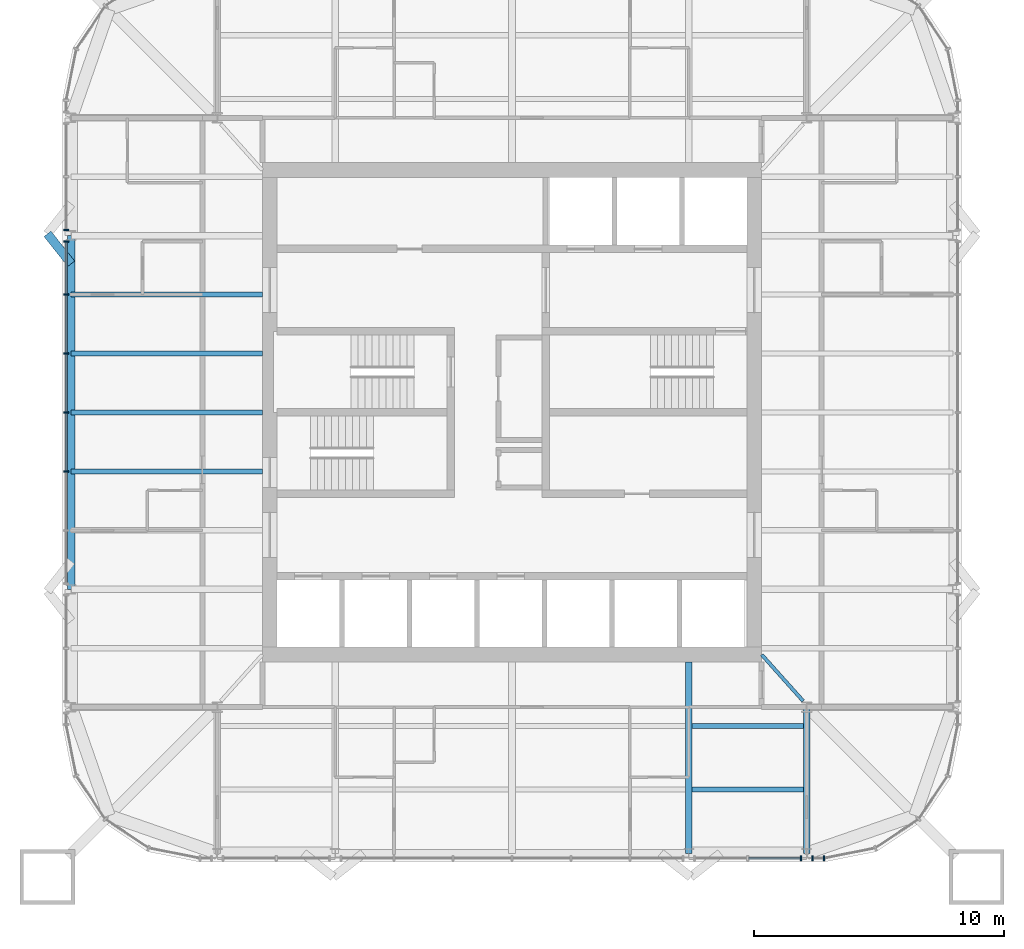
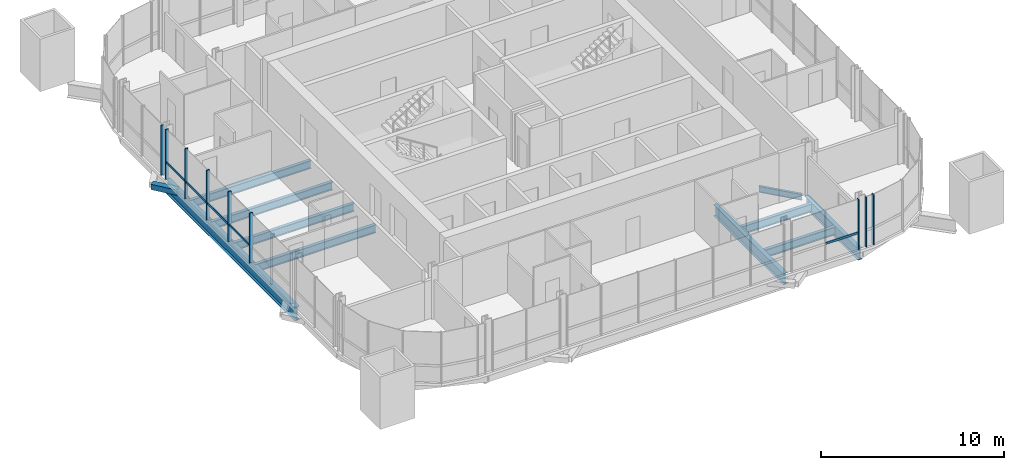
# One storey, part 3 of 17: 14 members, 11 beams, 4 elements without a shape of their own.
"""IFC4 building model written with IfcOpenShell, lengths in metres."""

from ifc_helpers import new_model, si_unit, direction, frame, origin, origin_2d, place, context, subcontext, project, spatial, rectangle, hollow_rectangle, i_section, extrude, material, material_profile, profile_set, type_object, element, aggregate, save


model = new_model("IFC4")

# Units and contexts
model_context = context("Model", 3, precision=1e-05, world=origin(), true_north=direction((0.0, 1.0)))
body_context = subcontext(model_context, "Body", "Model", "MODEL_VIEW")
ifc_project = project(units=[si_unit("LENGTHUNIT", "METRE"), si_unit("AREAUNIT", "SQUARE_METRE"), si_unit("VOLUMEUNIT", "CUBIC_METRE"), si_unit("PLANEANGLEUNIT", "RADIAN"), si_unit("MASSUNIT", "GRAM", prefix="KILO")], contexts=[model_context])

# Site, building, storey
site_placement = place(None, origin())
site = spatial("IfcSite", under=ifc_project, at=site_placement, CompositionType="ELEMENT")
building_placement = place(site_placement, origin())
building = spatial("IfcBuilding", under=site, at=building_placement, Name="Turquesa Mirador Hotel Tower", CompositionType="ELEMENT")
storey_placement = place(building_placement, frame((0.0, 0.0, 258.199951171875)))
storey = spatial("IfcBuildingStorey", under=building, at=storey_placement, Name="L70", CompositionType="ELEMENT", Elevation=258.199951171875)

# Beams
ifc_material_1 = material(Name="Steel ASTM A992 Grade 50", Category="steel")
ifc_material_profile_1 = material_profile(ifc_material_1, i_section(OverallWidth=0.140380859375, OverallDepth=0.40380859375, WebThickness=0.007080078125, FlangeThickness=0.01123046875, at=origin_2d()), Name="W16X31")
ifc_profile_set_1 = profile_set([ifc_material_profile_1], Name="Steel ASTM A992 Grade 50")
beam_type_1 = type_object("IfcBeamType", Name="BEAM W16X31", PredefinedType="BEAM", material=ifc_profile_set_1)
beam_1_placement = place(storey_placement, frame((66.656494140625, 33.44873046875, -0.371826171875), z_axis=(-0.666806350186, 0.745231032198, 0.0), x_axis=(-0.745231032198, -0.666806350186, 0.0)))
element("IfcBeam", 1, at=beam_1_placement, inside=storey, type_object=beam_type_1, Name="KT-L70-4", PredefinedType="BEAM", context=body_context, shape_type="SweptSolid", body=[
    extrude(i_section(OverallWidth=0.140380859375, OverallDepth=0.40380859375, WebThickness=0.007080078125, FlangeThickness=0.01123046875, at=origin_2d()), origin(), (0.0, 0.0, 1.0), 2.484130859375),
])
ifc_material_2 = material(Name="Steel ASTM A992 Grade 50", Category="steel")
ifc_material_profile_2 = material_profile(ifc_material_2, i_section(OverallWidth=0.209228515625, OverallDepth=0.533447265625, WebThickness=0.01025390625, FlangeThickness=0.015625, at=origin_2d()), Name="W21X62")
ifc_profile_set_2 = profile_set([ifc_material_profile_2], Name="Steel ASTM A992 Grade 50")
beam_type_2 = type_object("IfcBeamType", Name="BEAM W21X62", PredefinedType="BEAM", material=ifc_profile_set_2)
for number, where, z_axis, x_axis, name in (
    (2, (62.21337890625, 32.449951171875, -0.436767578125), (1.0, 0.0, 0.0), (0.0, 1.0, 0.0), "IB-L70-S-1-3"),
    (3, (62.21337890625, 29.89990234375, -0.436767578125), (1.0, 0.0, 0.0), (0.0, 1.0, 0.0), "IB-L70-S-2-3"),
):
    element("IfcBeam", number, at=place(storey_placement, frame(where, z_axis=z_axis, x_axis=x_axis)), inside=storey, type_object=beam_type_2, Name=name, PredefinedType="BEAM", context=body_context, shape_type="SweptSolid", body=[
        extrude(i_section(OverallWidth=0.209228515625, OverallDepth=0.533447265625, WebThickness=0.01025390625, FlangeThickness=0.015625, at=origin_2d()), origin(), (0.0, 0.0, 1.0), 4.453369140625),
    ])
for number, where, z_axis, x_axis, name in (
    (4, (37.35009765625, 42.639892578125, -0.436767578125), (1.0, 0.0, 0.0), (0.0, 1.0, 0.0), "BM-L70-W--2.36"),
    (5, (37.35009765625, 45.0, -0.436767578125), (1.0, 0.0, 0.0), (0.0, 1.0, 0.0), "BM-L70-W-+0.00"),
    (6, (37.35009765625, 47.360107421875, -0.436767578125), (1.0, 0.0, 0.0), (0.0, 1.0, 0.0), "BM-L70-W-+2.36"),
    (7, (37.35009765625, 49.719970703125, -0.436767578125), (1.0, 0.0, 0.0), (0.0, 1.0, 0.0), "BM-L70-W-+4.72"),
):
    element("IfcBeam", number, at=place(storey_placement, frame(where, z_axis=z_axis, x_axis=x_axis)), inside=storey, type_object=beam_type_2, Name=name, PredefinedType="BEAM", context=body_context, shape_type="SweptSolid", body=[
        extrude(i_section(OverallWidth=0.209228515625, OverallDepth=0.533447265625, WebThickness=0.01025390625, FlangeThickness=0.015625, at=origin_2d()), origin(), (0.0, 0.0, 1.0), 7.64990234375),
    ])
ifc_material_3 = material(Name="Steel ASTM A992 Grade 50", Category="steel")
ifc_material_profile_3 = material_profile(ifc_material_3, i_section(OverallWidth=0.2666015625, OverallDepth=0.7568359375, WebThickness=0.013916015625, FlangeThickness=0.019287109375, at=origin_2d()), Name="W30X108")
ifc_profile_set_3 = profile_set([ifc_material_profile_3], Name="Steel ASTM A992 Grade 50")
beam_type_3 = type_object("IfcBeamType", Name="BEAM W30X108", PredefinedType="BEAM", material=ifc_profile_set_3)
beam_2_placement = place(storey_placement, frame((62.080078125, 27.35009765625, -0.54833984375), z_axis=(0.0, 1.0, 0.0), x_axis=(-1.0, 0.0, 0.0)))
element("IfcBeam", 8, at=beam_2_placement, inside=storey, type_object=beam_type_3, Name="GD-L70-S-+7.08", PredefinedType="BEAM", context=body_context, shape_type="SweptSolid", body=[
    extrude(i_section(OverallWidth=0.2666015625, OverallDepth=0.7568359375, WebThickness=0.013916015625, FlangeThickness=0.019287109375, at=origin_2d()), origin(), (0.0, 0.0, 1.0), 7.64990234375),
])
beam_3_placement = place(storey_placement, frame((66.800048828125, 27.35009765625, -0.54833984375), z_axis=(0.0, 1.0, 0.0), x_axis=(-1.0, 0.0, 0.0)))
element("IfcBeam", 9, at=beam_3_placement, inside=storey, type_object=beam_type_3, Name="GK-L70-S-+11.80", PredefinedType="BEAM", context=body_context, shape_type="SweptSolid", body=[
    extrude(i_section(OverallWidth=0.2666015625, OverallDepth=0.7568359375, WebThickness=0.013916015625, FlangeThickness=0.019287109375, at=origin_2d()), origin(), (0.0, 0.0, 1.0), 5.849853515625),
])
ifc_material_4 = material(Name="Steel ASTM A992 Grade 50", Category="steel")
ifc_material_profile_4 = material_profile(ifc_material_4, i_section(OverallWidth=0.3046875, OverallDepth=0.911865234375, WebThickness=0.015869140625, FlangeThickness=0.02392578125, at=origin_2d()), Name="W36X150")
ifc_profile_set_4 = profile_set([ifc_material_profile_4], Name="Steel ASTM A992 Grade 50")
beam_type_4 = type_object("IfcBeamType", Name="BEAM W36X150", PredefinedType="BEAM", material=ifc_profile_set_4)
beam_4_placement = place(storey_placement, frame((37.35009765625, 37.919921875, -0.6259765625), z_axis=(0.0, 1.0, 0.0), x_axis=(-1.0, 0.0, 0.0)))
element("IfcBeam", 10, at=beam_4_placement, inside=storey, type_object=beam_type_4, Name="EB-L70-W-C", PredefinedType="BEAM", context=body_context, shape_type="SweptSolid", body=[
    extrude(i_section(OverallWidth=0.3046875, OverallDepth=0.911865234375, WebThickness=0.015869140625, FlangeThickness=0.02392578125, at=origin_2d()), origin(), (0.0, 0.0, 1.0), 14.16015625),
])
ifc_material_5 = material(Name="Steel ASTM A500 Grade C", Category="steel")
ifc_material_profile_5 = material_profile(ifc_material_5, hollow_rectangle(XDim=0.355712890625, YDim=0.355712890625, WallThickness=0.0146484375, at=origin_2d()), Name="HSS14X14X5/8")
ifc_profile_set_5 = profile_set([ifc_material_profile_5], Name="Steel ASTM A500 Grade C")
beam_type_5 = type_object("IfcBeamType", Name="BRACE STRUT HSS14X14X5/8", PredefinedType="BEAM", material=ifc_profile_set_5)
beam_5_placement = place(storey_placement, frame((36.39990234375, 52.15380859375, -0.34765625), z_axis=(0.620796907089, -0.783971428146, 0.0), x_axis=(0.783971428146, 0.620796907089, 0.0)))
element("IfcBeam", 11, at=beam_5_placement, inside=storey, type_object=beam_type_5, Name="Brace strut", PredefinedType="BEAM", context=body_context, shape_type="SweptSolid", body=[
    extrude(hollow_rectangle(XDim=0.355712890625, YDim=0.355712890625, WallThickness=0.0146484375, at=origin_2d()), origin(), (0.0, 0.0, 1.0), 1.530517578125),
])

# Curtain wall, member
ifc_material_6 = material(Name="Aluminium extrusion", Category="aluminium")
curtain_wall_type = type_object("IfcCurtainWallType", Name="CW-4 SUITE FRITTED CURTAIN WALL", PredefinedType="USERDEFINED", material=ifc_material_6)
curtain_wall_1_placement = place(storey_placement, origin())
curtain_wall_1 = element("IfcCurtainWall", 12, at=curtain_wall_1_placement, inside=storey, type_object=curtain_wall_type, Name="CW-4 SUITE FRITTED CURTAIN WALL L70", ObjectType="CURTAIN WALL", PredefinedType="USERDEFINED")
ifc_material_7 = material(Name="Aluminium extrusion", Category="aluminium")
ifc_material_profile_6 = material_profile(ifc_material_7, rectangle(XDim=0.06494140625, YDim=0.199951171875, at=origin_2d()), Name="MULLION 65X200")
ifc_profile_set_6 = profile_set([ifc_material_profile_6], Name="Aluminium extrusion")
member_type_1 = type_object("IfcMemberType", Name="CW MULLION 65X200", PredefinedType="MULLION", material=ifc_profile_set_6)
member_1_placement = place(storey_placement, frame((37.14990234375, 52.31396484375, 0.0), z_axis=(0.0, 0.0, 1.0), x_axis=(0.0, -1.0, 0.0)))
member_1 = element("IfcMember", 13, at=member_1_placement, type_object=member_type_1, Name="Mullion", PredefinedType="MULLION", context=body_context, shape_type="SweptSolid", body=[
    extrude(rectangle(XDim=0.06494140625, YDim=0.199951171875, at=origin_2d()), origin(), (0.0, 0.0, 1.0), 3.330078125),
])
aggregate(curtain_wall_1, [member_1])

# Curtain wall, members
curtain_wall_2_placement = place(storey_placement, origin())
curtain_wall_2 = element("IfcCurtainWall", 14, at=curtain_wall_2_placement, inside=storey, type_object=curtain_wall_type, Name="CW-4 SUITE FRITTED CURTAIN WALL L70", ObjectType="CURTAIN WALL", PredefinedType="USERDEFINED")
member_2_placement = place(storey_placement, frame((37.14990234375, 51.84619140625, 0.0), z_axis=(0.0, 0.0, 1.0), x_axis=(0.0, -1.0, 0.0)))
member_2 = element("IfcMember", 15, at=member_2_placement, type_object=member_type_1, Name="Mullion", PredefinedType="MULLION", context=body_context, shape_type="SweptSolid", body=[
    extrude(rectangle(XDim=0.06494140625, YDim=0.199951171875, at=origin_2d()), origin(), (0.0, 0.0, 1.0), 3.330078125),
])
member_3_placement = place(storey_placement, frame((37.14990234375, 49.719970703125, 0.0), z_axis=(0.0, 0.0, 1.0), x_axis=(0.0, -1.0, 0.0)))
member_3 = element("IfcMember", 16, at=member_3_placement, type_object=member_type_1, Name="Mullion", PredefinedType="MULLION", context=body_context, shape_type="SweptSolid", body=[
    extrude(rectangle(XDim=0.06494140625, YDim=0.199951171875, at=origin_2d()), origin(), (0.0, 0.0, 1.0), 3.330078125),
])
member_4_placement = place(storey_placement, frame((37.14990234375, 47.360107421875, 0.0), z_axis=(0.0, 0.0, 1.0), x_axis=(0.0, -1.0, 0.0)))
member_4 = element("IfcMember", 17, at=member_4_placement, type_object=member_type_1, Name="Mullion", PredefinedType="MULLION", context=body_context, shape_type="SweptSolid", body=[
    extrude(rectangle(XDim=0.06494140625, YDim=0.199951171875, at=origin_2d()), origin(), (0.0, 0.0, 1.0), 3.330078125),
])
member_5_placement = place(storey_placement, frame((37.14990234375, 45.0, 0.0), z_axis=(0.0, 0.0, 1.0), x_axis=(0.0, -1.0, 0.0)))
member_5 = element("IfcMember", 18, at=member_5_placement, type_object=member_type_1, Name="Mullion", PredefinedType="MULLION", context=body_context, shape_type="SweptSolid", body=[
    extrude(rectangle(XDim=0.06494140625, YDim=0.199951171875, at=origin_2d()), origin(), (0.0, 0.0, 1.0), 3.330078125),
])
member_6_placement = place(storey_placement, frame((37.14990234375, 42.639892578125, 0.0), z_axis=(0.0, 0.0, 1.0), x_axis=(0.0, -1.0, 0.0)))
member_6 = element("IfcMember", 19, at=member_6_placement, type_object=member_type_1, Name="Mullion", PredefinedType="MULLION", context=body_context, shape_type="SweptSolid", body=[
    extrude(rectangle(XDim=0.06494140625, YDim=0.199951171875, at=origin_2d()), origin(), (0.0, 0.0, 1.0), 3.330078125),
])

# Curtain wall, member
curtain_wall_3_placement = place(storey_placement, origin())
curtain_wall_3 = element("IfcCurtainWall", 20, at=curtain_wall_3_placement, inside=storey, type_object=curtain_wall_type, Name="CW-4 SUITE FRITTED CURTAIN WALL L70", ObjectType="CURTAIN WALL", PredefinedType="USERDEFINED")
member_7_placement = place(storey_placement, frame((66.566162109375, 27.14990234375, 0.0), z_axis=(0.0, 0.0, 1.0), x_axis=(1.0, 0.0, 0.0)))
member_7 = element("IfcMember", 21, at=member_7_placement, type_object=member_type_1, Name="Mullion", PredefinedType="MULLION", context=body_context, shape_type="SweptSolid", body=[
    extrude(rectangle(XDim=0.06494140625, YDim=0.199951171875, at=origin_2d()), origin(), (0.0, 0.0, 1.0), 3.330078125),
])

# Curtain wall, members
curtain_wall_4_placement = place(storey_placement, origin())
curtain_wall_4 = element("IfcCurtainWall", 22, at=curtain_wall_4_placement, inside=storey, type_object=curtain_wall_type, Name="CW-4 SUITE FRITTED CURTAIN WALL L70", ObjectType="CURTAIN WALL", PredefinedType="USERDEFINED")
member_8_placement = place(storey_placement, frame((67.033935546875, 27.14990234375, 0.0), z_axis=(0.0, 0.0, 1.0), x_axis=(1.0, 0.0, 0.0)))
member_8 = element("IfcMember", 23, at=member_8_placement, type_object=member_type_1, Name="Mullion", PredefinedType="MULLION", context=body_context, shape_type="SweptSolid", body=[
    extrude(rectangle(XDim=0.06494140625, YDim=0.199951171875, at=origin_2d()), origin(), (0.0, 0.0, 1.0), 3.330078125),
])
member_9_placement = place(storey_placement, frame((67.5, 27.14990234375, 0.0), z_axis=(0.0, 0.0, 1.0), x_axis=(1.0, 0.0, 0.0)))
member_9 = element("IfcMember", 24, at=member_9_placement, type_object=member_type_1, Name="Mullion", PredefinedType="MULLION", context=body_context, shape_type="SweptSolid", body=[
    extrude(rectangle(XDim=0.06494140625, YDim=0.199951171875, at=origin_2d()), origin(), (0.0, 0.0, 1.0), 3.330078125),
])
aggregate(curtain_wall_4, [member_8, member_9])

# Member
ifc_material_8 = material(Name="Aluminium extrusion", Category="aluminium")
ifc_material_profile_7 = material_profile(ifc_material_8, rectangle(XDim=0.06494140625, YDim=0.14990234375, at=origin_2d()), Name="TRANSOM 65X150")
ifc_profile_set_7 = profile_set([ifc_material_profile_7], Name="Aluminium extrusion")
member_type_2 = type_object("IfcMemberType", Name="CW TRANSOM 65X150", PredefinedType="USERDEFINED", material=ifc_profile_set_7)
member_10_placement = place(storey_placement, frame((37.14990234375, 51.813720703125, 1.10009765625), z_axis=(0.0, -1.0, 0.0), x_axis=(1.0, 0.0, 0.0)))
member_10 = element("IfcMember", 25, at=member_10_placement, type_object=member_type_2, Name="Transom", ObjectType="TRANSOM", PredefinedType="USERDEFINED", context=body_context, shape_type="SweptSolid", body=[
    extrude(rectangle(XDim=0.06494140625, YDim=0.14990234375, at=origin_2d()), origin(), (0.0, 0.0, 1.0), 2.061279296875),
])

member_11_placement = place(storey_placement, frame((37.14990234375, 49.6875, 1.10009765625), z_axis=(0.0, -1.0, 0.0), x_axis=(1.0, 0.0, 0.0)))
member_11 = element("IfcMember", 26, at=member_11_placement, type_object=member_type_2, Name="Transom", ObjectType="TRANSOM", PredefinedType="USERDEFINED", context=body_context, shape_type="SweptSolid", body=[
    extrude(rectangle(XDim=0.06494140625, YDim=0.14990234375, at=origin_2d()), origin(), (0.0, 0.0, 1.0), 2.294921875),
])

member_12_placement = place(storey_placement, frame((37.14990234375, 47.327392578125, 1.10009765625), z_axis=(0.0, -1.0, 0.0), x_axis=(1.0, 0.0, 0.0)))
member_12 = element("IfcMember", 27, at=member_12_placement, type_object=member_type_2, Name="Transom", ObjectType="TRANSOM", PredefinedType="USERDEFINED", context=body_context, shape_type="SweptSolid", body=[
    extrude(rectangle(XDim=0.06494140625, YDim=0.14990234375, at=origin_2d()), origin(), (0.0, 0.0, 1.0), 2.294921875),
])

member_13_placement = place(storey_placement, frame((37.14990234375, 44.967529296875, 1.10009765625), z_axis=(0.0, -1.0, 0.0), x_axis=(1.0, 0.0, 0.0)))
member_13 = element("IfcMember", 28, at=member_13_placement, type_object=member_type_2, Name="Transom", ObjectType="TRANSOM", PredefinedType="USERDEFINED", context=body_context, shape_type="SweptSolid", body=[
    extrude(rectangle(XDim=0.06494140625, YDim=0.14990234375, at=origin_2d()), origin(), (0.0, 0.0, 1.0), 2.294921875),
])

aggregate(curtain_wall_2, [member_2, member_3, member_4, member_5, member_6, member_10, member_11, member_12, member_13])

member_14_placement = place(storey_placement, frame((64.472412109375, 27.14990234375, 1.10009765625), z_axis=(1.0, 0.0, 0.0), x_axis=(0.0, 1.0, 0.0)))
member_14 = element("IfcMember", 29, at=member_14_placement, type_object=member_type_2, Name="Transom", ObjectType="TRANSOM", PredefinedType="USERDEFINED", context=body_context, shape_type="SweptSolid", body=[
    extrude(rectangle(XDim=0.06494140625, YDim=0.14990234375, at=origin_2d()), origin(), (0.0, 0.0, 1.0), 2.061279296875),
])

aggregate(curtain_wall_3, [member_7, member_14])

save(model, "model.ifc")
